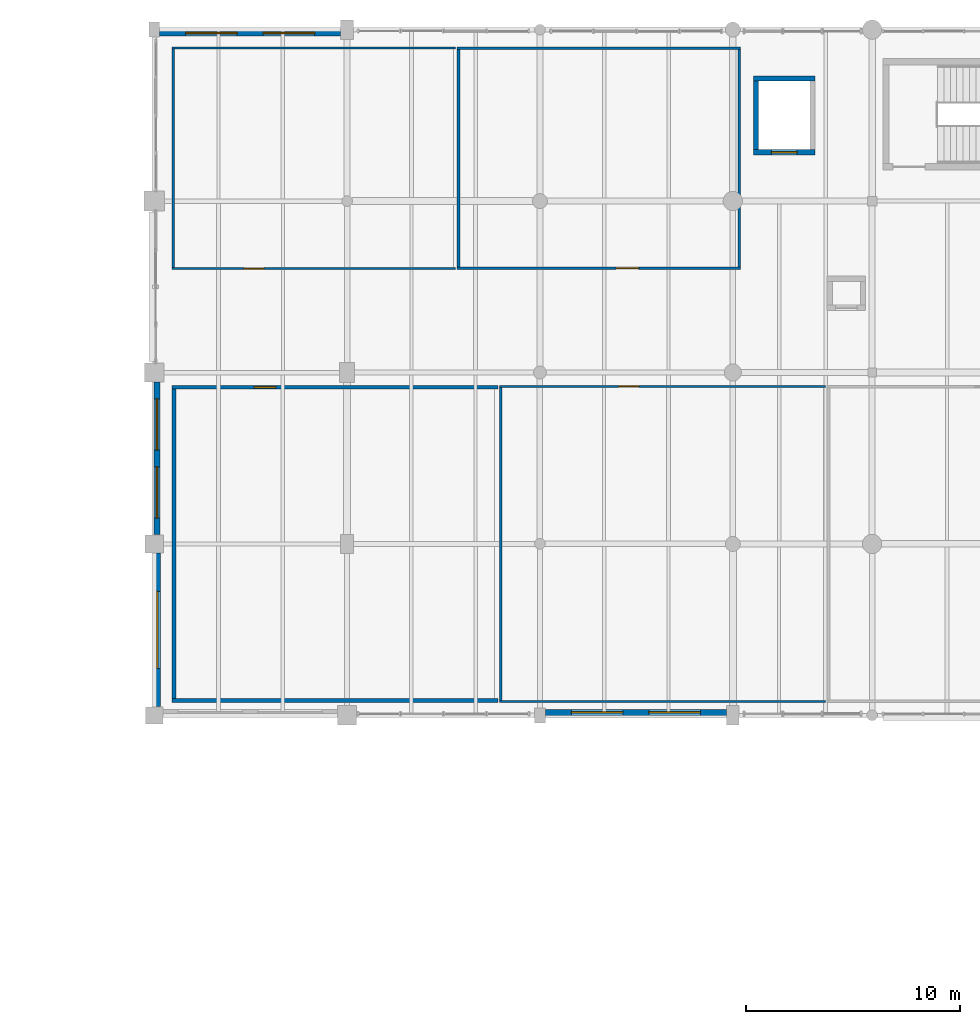
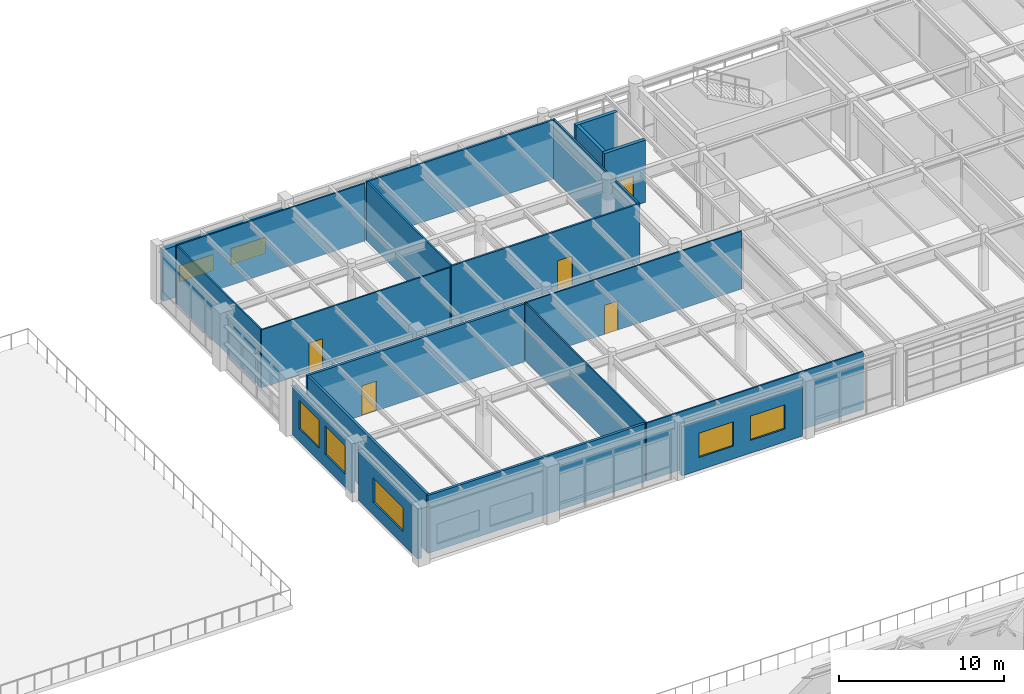
# One storey, part 154 of 168: 20 walls, 7 windows, 5 doors, 12 openings.
"""IFC4 building model written with IfcOpenShell, lengths in metres."""

import ifcopenshell
import ifcopenshell.guid

model = None  # the IFC model being written
_history = None  # IfcOwnerHistory: only IFC2X3 demands one
_inside = {}  # id of a spatial element -> (the spatial element, [elements in it])
_under = {}  # id of a project, library or spatial element -> (it, [spatial elements below it])
_declared = {}  # id of a project -> (the project, [libraries it declares])
_typed = {}  # id of a type object -> (the type object, [elements of that type])
_made_of = {}  # id of a material, layer set ... -> (it, [elements and type objects made of it])


def new_model(schema):
    """Start an empty IFC model of exactly this schema.

    Asked for "IFC4X3", IfcOpenShell would pick the latest addendum, in which some entities
    have other attributes; the version numbers below select the first issue.
    IFC2X3 requires an IfcOwnerHistory on every rooted entity: one is made here for all.
    """
    global model, _history
    if schema == "IFC4X3":
        model = ifcopenshell.file(schema_version=(4, 3, 0, 0))
    else:
        model = ifcopenshell.file(schema=schema)
    _inside.clear()
    _under.clear()
    _declared.clear()
    _typed.clear()
    _made_of.clear()
    _history = None
    if model.schema == "IFC2X3":
        org = make("IfcOrganization", Name="unknown")
        user = make(
            "IfcPersonAndOrganization",
            ThePerson=make("IfcPerson", FamilyName="unknown"),
            TheOrganization=org,
        )
        app = make(
            "IfcApplication",
            ApplicationDeveloper=org,
            Version="unknown",
            ApplicationFullName="unknown",
            ApplicationIdentifier="unknown",
        )
        _history = make(
            "IfcOwnerHistory",
            OwningUser=user,
            OwningApplication=app,
            ChangeAction="ADDED",
            CreationDate=0,
        )
    return model


def make(cls, **values):
    """One entity of the class cls with the attributes given. An attribute that is None is left unset."""
    return model.create_entity(
        cls, **{name: value for name, value in values.items() if value is not None}
    )


def rooted(cls, **values):
    """An entity with a GlobalId (a new one), such as an element, a storey or a relation."""
    return make(cls, GlobalId=ifcopenshell.guid.new(), OwnerHistory=_history, **values)


def si_unit(unit_type, name, prefix=None):
    """IfcSIUnit, for example si_unit("LENGTHUNIT", "METRE", prefix="MILLI")."""
    return make("IfcSIUnit", UnitType=unit_type, Prefix=prefix, Name=name)


def assignment(units):
    """IfcUnitAssignment: the units of a project."""
    return None if units is None else make("IfcUnitAssignment", Units=units)


def point(xyz):
    """IfcCartesianPoint."""
    return None if xyz is None else make("IfcCartesianPoint", Coordinates=xyz)


def direction(xyz):
    """IfcDirection."""
    return None if xyz is None else make("IfcDirection", DirectionRatios=xyz)


def frame(location, z_axis=None, x_axis=None):
    """IfcAxis2Placement3D, a coordinate frame: its origin and axes. An axis left out is left unset."""
    return make(
        "IfcAxis2Placement3D",
        Location=point(location),
        Axis=direction(z_axis),
        RefDirection=direction(x_axis),
    )


def frame_2d(location, x_axis=None):
    """IfcAxis2Placement2D, a coordinate frame in the plane: its origin and x axis."""
    return make(
        "IfcAxis2Placement2D", Location=point(location), RefDirection=direction(x_axis)
    )


def origin():
    """The frame at (0, 0, 0) with its axes left unset."""
    return frame((0.0, 0.0, 0.0))


def place(relative_to, where):
    """IfcLocalPlacement: puts the frame where relative to a parent placement (None: the world)."""
    return make(
        "IfcLocalPlacement", PlacementRelTo=relative_to, RelativePlacement=where
    )


def context(
    kind, dimensions, precision=None, world=None, true_north=None, identifier=None
):
    """IfcGeometricRepresentationContext, for example the 3D "Model" context."""
    return make(
        "IfcGeometricRepresentationContext",
        ContextIdentifier=identifier,
        ContextType=kind,
        CoordinateSpaceDimension=dimensions,
        Precision=precision,
        WorldCoordinateSystem=world,
        TrueNorth=true_north,
    )


def subcontext(parent, identifier, kind, view, scale=None):
    """IfcGeometricRepresentationSubContext, for example "Body" below "Model"."""
    return make(
        "IfcGeometricRepresentationSubContext",
        ContextIdentifier=identifier,
        ContextType=kind,
        ParentContext=parent,
        TargetScale=scale,
        TargetView=view,
    )


def project(units=None, contexts=None):
    """IfcProject with its units and contexts."""
    return rooted(
        "IfcProject",
        Name="project",
        RepresentationContexts=contexts,
        UnitsInContext=assignment(units),
    )


def spatial(cls, under=None, at=None, **own):
    """A site, building, storey or space (cls), placed at a placement, below another one or the project."""
    s = rooted(cls, ObjectPlacement=at, **own)
    if under is not None:
        _under.setdefault(under.id(), (under, []))[1].append(s)
    return s


def profile(cls, at=None, kind="AREA", **sizes):
    """A parametric profile (cls). Its sizes go by their IFC names, for example OverallWidth=200.0."""
    return make(cls, ProfileType=kind, Position=at, **sizes)


def rectangle(**sizes):
    """IfcRectangleProfileDef."""
    return profile("IfcRectangleProfileDef", **sizes)


def extrude(swept, where, along, depth):
    """IfcExtrudedAreaSolid: the profile swept, set in the frame where, extruded along a direction by depth."""
    return make(
        "IfcExtrudedAreaSolid",
        SweptArea=swept,
        Position=where,
        ExtrudedDirection=direction(along),
        Depth=depth,
    )


def shape(context_of_items, identifier, shape_type, items):
    """IfcShapeRepresentation: the items that make up one representation, for example the "Body"."""
    return make(
        "IfcShapeRepresentation",
        ContextOfItems=context_of_items,
        RepresentationIdentifier=identifier,
        RepresentationType=shape_type,
        Items=items,
    )


def material(Name=None, Category=None):
    """IfcMaterial."""
    return make("IfcMaterial", Name=Name, Category=Category)


def layer(
    of_material, thickness, ventilated=None, Name=None, Category=None, Priority=None
):
    """IfcMaterialLayer: one layer of a wall or slab, of a material (None: an air gap)."""
    return make(
        "IfcMaterialLayer",
        Material=of_material,
        LayerThickness=thickness,
        IsVentilated=ventilated,
        Name=Name,
        Category=Category,
        Priority=Priority,
    )


def layer_set(layers, Name=None):
    """IfcMaterialLayerSet."""
    return make("IfcMaterialLayerSet", MaterialLayers=layers, LayerSetName=Name)


def made_of(thing, what):
    """Note that an element or type object is made of a material, layer set ...; save() writes the relation."""
    if what is not None:
        _made_of.setdefault(what.id(), (what, []))[1].append(thing)
    return thing


def type_object(cls, material=None, **own):
    """A type object (cls), such as IfcWallType, which elements share."""
    return made_of(rooted(cls, **own), material)


def element(
    cls,
    number,
    at=None,
    inside=None,
    cuts=None,
    type_object=None,
    material=None,
    context=None,
    identifier="Body",
    shape_type=None,
    held_by="IfcProductDefinitionShape",
    body=None,
    shapes=None,
    **own,
):
    """One element of the class cls, such as IfcWall. Its Tag is "e" and its number.

    at: its placement. inside: the storey or other place that contains it. cuts: it is an
    opening in that element (IfcRelVoidsElement). A single representation is given by context,
    identifier, shape_type and body (its items); several are given by shapes. held_by: the class
    of the entity that holds the representations. save() writes the other relations.
    """
    e = rooted(cls, Tag="e%d" % number, ObjectPlacement=at, **own)
    if body is not None:
        shapes = [shape(context, identifier, shape_type, body)]
    if shapes is not None:
        e.Representation = make(held_by, Representations=shapes)
    if inside is not None:
        _inside.setdefault(inside.id(), (inside, []))[1].append(e)
    if cuts is not None:
        rooted(
            "IfcRelVoidsElement", RelatingBuildingElement=cuts, RelatedOpeningElement=e
        )
    if type_object is not None:
        _typed.setdefault(type_object.id(), (type_object, []))[1].append(e)
    return made_of(e, material)


def fill(opening, filler):
    """IfcRelFillsElement: the door or window that sits in an opening."""
    return rooted(
        "IfcRelFillsElement",
        RelatingOpeningElement=opening,
        RelatedBuildingElement=filler,
    )


def aggregate(whole, parts):
    """IfcRelAggregates: a whole, such as a stair, and the parts it consists of."""
    return rooted("IfcRelAggregates", RelatingObject=whole, RelatedObjects=parts)


def save(model, path):
    """Write the relations noted so far, then the file.

    IfcRelAggregates (storeys below a building ...), IfcRelContainedInSpatialStructure (elements
    in a storey), IfcRelDefinesByType, IfcRelAssociatesMaterial and IfcRelDeclares: one each for
    every whole, place, type object, material and project.
    """
    for whole, parts in _under.values():
        aggregate(whole, parts)
    for where, things in _inside.values():
        rooted(
            "IfcRelContainedInSpatialStructure",
            RelatedElements=things,
            RelatingStructure=where,
        )
    for kind, things in _typed.values():
        rooted("IfcRelDefinesByType", RelatedObjects=things, RelatingType=kind)
    for what, things in _made_of.values():
        rooted("IfcRelAssociatesMaterial", RelatedObjects=things, RelatingMaterial=what)
    for by, libraries in _declared.values():
        rooted("IfcRelDeclares", RelatingContext=by, RelatedDefinitions=libraries)
    model.write(path)


model = new_model("IFC4")

# Units and contexts
model_context = context("Model", 3, precision=1e-05, world=origin(), true_north=direction((0.0, 1.0)))
body_context = subcontext(model_context, "Body", "Model", "MODEL_VIEW")
ifc_project = project(units=[si_unit("LENGTHUNIT", "METRE"), si_unit("AREAUNIT", "SQUARE_METRE"), si_unit("VOLUMEUNIT", "CUBIC_METRE"), si_unit("PLANEANGLEUNIT", "RADIAN"), si_unit("MASSUNIT", "GRAM", prefix="KILO"), si_unit("THERMODYNAMICTEMPERATUREUNIT", "KELVIN"), si_unit("POWERUNIT", "WATT")], contexts=[model_context])

# Site, building, storey
site_placement = place(None, origin())
site = spatial("IfcSite", under=ifc_project, at=site_placement, CompositionType="ELEMENT")
building_placement = place(site_placement, origin())
building = spatial("IfcBuilding", under=site, at=building_placement, Name="Tepalcoro Natatorium and Aquatics Centre", CompositionType="ELEMENT")
storey_placement = place(building_placement, frame((0.0, 0.0, 10.199951171875)))
storey = spatial("IfcBuildingStorey", under=building, at=storey_placement, Name="L02", CompositionType="ELEMENT", Elevation=10.199951171875)

# Wall, openings, windows
ifc_material_1 = material(Name="Precast Concrete C45/55 (fc 45 MPa)", Category="concrete")
ifc_layer_1 = layer(ifc_material_1, 0.260009765625)
ifc_layer_set_1 = layer_set([ifc_layer_1], Name="Precast Concrete C45/55 (fc 45 MPa)")
wall_type_1 = type_object("IfcWallType", Name="WL_EXT_GABLE_260", PredefinedType="SOLIDWALL", material=ifc_layer_set_1)
wall_1_placement = place(storey_placement, frame((98.1298828125, 94.428955078125, 0.0), z_axis=(0.0, 0.0, 1.0), x_axis=(0.0, 1.0, 0.0)))
wall_1 = element("IfcWall", 1, at=wall_1_placement, inside=storey, type_object=wall_type_1, Name="V5 L02 W Volcanic Basalt Envelope Wall", PredefinedType="SOLIDWALL", context=body_context, shape_type="SweptSolid", body=[
    extrude(rectangle(XDim=7.116943359375, YDim=0.260009765625, at=frame_2d((3.55859375, 0.0))), origin(), (0.0, 0.0, 1.0), 3.657958984375),
])
opening_1_placement = place(wall_1_placement, frame((0.772216796875, 0.0, 0.949951171875)))
opening_1 = element("IfcOpeningElement", 2, at=opening_1_placement, cuts=wall_1, Name="Opening W0105A", PredefinedType="OPENING", context=body_context, shape_type="SweptSolid", body=[
    extrude(rectangle(XDim=2.39990234375, YDim=2.10009765625, at=frame_2d((1.199951171875, 1.050048828125))), frame((0.0, 0.14208984375, 0.0), z_axis=(0.0, -1.0, 0.0), x_axis=(1.0, 0.0, 0.0)), (0.0, 0.0, 1.0), 0.283935546875),
])
opening_2_placement = place(wall_1_placement, frame((3.944580078125, 0.0, 0.949951171875)))
opening_2 = element("IfcOpeningElement", 3, at=opening_2_placement, cuts=wall_1, Name="Opening W0105B", PredefinedType="OPENING", context=body_context, shape_type="SweptSolid", body=[
    extrude(rectangle(XDim=2.39990234375, YDim=2.10009765625, at=frame_2d((1.199951171875, 1.050048828125))), frame((0.0, 0.14208984375, 0.0), z_axis=(0.0, -1.0, 0.0), x_axis=(1.0, 0.0, 0.0)), (0.0, 0.0, 1.0), 0.283935546875),
])
ifc_material_2 = material(Name="Solar-Control Bronze Tempered Low-E Double Glazing", Category="glass")
window_type_1 = type_object("IfcWindowType", Name="WN_240x210", PartitioningType="SINGLE_PANEL", PredefinedType="WINDOW", material=ifc_material_2)
window_1_placement = place(opening_1_placement, origin())
window_1 = element("IfcWindow", 4, at=window_1_placement, inside=storey, type_object=window_type_1, Name="Exterior Thermal Window WN_240x210", OverallHeight=2.10009765625, OverallWidth=2.39990234375, PartitioningType="SINGLE_PANEL", PredefinedType="WINDOW", context=body_context, shape_type="SweptSolid", body=[
    extrude(rectangle(XDim=2.39990234375, YDim=2.10009765625, at=frame_2d((1.199951171875, 1.050048828125))), frame((0.0, 0.030029296875, 0.0), z_axis=(0.0, -1.0, 0.0), x_axis=(1.0, 0.0, 0.0)), (0.0, 0.0, 1.0), 0.06005859375),
])
fill(opening_1, window_1)
window_2_placement = place(opening_2_placement, origin())
window_2 = element("IfcWindow", 5, at=window_2_placement, inside=storey, type_object=window_type_1, Name="Exterior Thermal Window WN_240x210", OverallHeight=2.10009765625, OverallWidth=2.39990234375, PartitioningType="SINGLE_PANEL", PredefinedType="WINDOW", context=body_context, shape_type="SweptSolid", body=[
    extrude(rectangle(XDim=2.39990234375, YDim=2.10009765625, at=frame_2d((1.199951171875, 1.050048828125))), frame((0.0, 0.030029296875, 0.0), z_axis=(0.0, -1.0, 0.0), x_axis=(1.0, 0.0, 0.0)), (0.0, 0.0, 1.0), 0.06005859375),
])
fill(opening_2, window_2)

ifc_layer_2 = layer(ifc_material_1, 0.284912109375)
ifc_layer_set_2 = layer_set([ifc_layer_2], Name="Precast Concrete C45/55 (fc 45 MPa)")
wall_type_2 = type_object("IfcWallType", Name="WL_EXT_INSUL_280", PredefinedType="SOLIDWALL", material=ifc_layer_set_2)
wall_2_placement = place(storey_placement, frame((116.25390625, 86.142578125, 0.0), z_axis=(0.0, 0.0, 1.0), x_axis=(1.0, 0.0, 0.0)))
wall_2 = element("IfcWall", 6, at=wall_2_placement, inside=storey, type_object=wall_type_2, Name="V5 L02 S Volcanic Basalt Envelope Wall", PredefinedType="SOLIDWALL", context=body_context, shape_type="SweptSolid", body=[
    extrude(rectangle(XDim=8.442138671875, YDim=0.284912109375, at=frame_2d((4.22119140625, 0.0))), origin(), (0.0, 0.0, 1.0), 3.657958984375),
])
opening_3_placement = place(wall_2_placement, frame((1.214111328125, 0.0, 0.949951171875)))
opening_3 = element("IfcOpeningElement", 7, at=opening_3_placement, cuts=wall_2, Name="Opening W0097A", PredefinedType="OPENING", context=body_context, shape_type="SweptSolid", body=[
    extrude(rectangle(XDim=2.39990234375, YDim=1.800048828125, at=frame_2d((1.199951171875, 0.89990234375))), frame((0.0, 0.154296875, 0.0), z_axis=(0.0, -1.0, 0.0), x_axis=(1.0, 0.0, 0.0)), (0.0, 0.0, 1.0), 0.308837890625),
])
opening_4_placement = place(wall_2_placement, frame((4.827880859375, 0.0, 0.949951171875)))
opening_4 = element("IfcOpeningElement", 8, at=opening_4_placement, cuts=wall_2, Name="Opening W0097B", PredefinedType="OPENING", context=body_context, shape_type="SweptSolid", body=[
    extrude(rectangle(XDim=2.39990234375, YDim=1.800048828125, at=frame_2d((1.199951171875, 0.89990234375))), frame((0.0, 0.154296875, 0.0), z_axis=(0.0, -1.0, 0.0), x_axis=(1.0, 0.0, 0.0)), (0.0, 0.0, 1.0), 0.308837890625),
])
window_type_2 = type_object("IfcWindowType", Name="WN_240x180", PartitioningType="SINGLE_PANEL", PredefinedType="WINDOW", material=ifc_material_2)
window_3_placement = place(opening_3_placement, origin())
window_3 = element("IfcWindow", 9, at=window_3_placement, inside=storey, type_object=window_type_2, Name="Exterior Thermal Window WN_240x180", OverallHeight=1.800048828125, OverallWidth=2.39990234375, PartitioningType="SINGLE_PANEL", PredefinedType="WINDOW", context=body_context, shape_type="SweptSolid", body=[
    extrude(rectangle(XDim=2.39990234375, YDim=1.800048828125, at=frame_2d((1.199951171875, 0.89990234375))), frame((0.0, 0.030029296875, 0.0), z_axis=(0.0, -1.0, 0.0), x_axis=(1.0, 0.0, 0.0)), (0.0, 0.0, 1.0), 0.06005859375),
])
fill(opening_3, window_3)
window_4_placement = place(opening_4_placement, origin())
window_4 = element("IfcWindow", 10, at=window_4_placement, inside=storey, type_object=window_type_2, Name="Exterior Thermal Window WN_240x180", OverallHeight=1.800048828125, OverallWidth=2.39990234375, PartitioningType="SINGLE_PANEL", PredefinedType="WINDOW", context=body_context, shape_type="SweptSolid", body=[
    extrude(rectangle(XDim=2.39990234375, YDim=1.800048828125, at=frame_2d((1.199951171875, 0.89990234375))), frame((0.0, 0.030029296875, 0.0), z_axis=(0.0, -1.0, 0.0), x_axis=(1.0, 0.0, 0.0)), (0.0, 0.0, 1.0), 0.06005859375),
])
fill(opening_4, window_4)

# Wall, opening, window
wall_3_placement = place(storey_placement, frame((98.142578125, 86.404052734375, 0.0), z_axis=(0.0, 0.0, 1.0), x_axis=(0.0, 1.0, 0.0)))
wall_3 = element("IfcWall", 11, at=wall_3_placement, inside=storey, type_object=wall_type_2, Name="V5 L02 W Volcanic Basalt Envelope Wall", PredefinedType="SOLIDWALL", context=body_context, shape_type="SweptSolid", body=[
    extrude(rectangle(XDim=7.1669921875, YDim=0.284912109375, at=frame_2d((3.58349609375, 0.0))), origin(), (0.0, 0.0, 1.0), 3.734130859375),
])
opening_5_placement = place(wall_3_placement, frame((1.783447265625, 0.0, 0.949951171875)))
opening_5 = element("IfcOpeningElement", 12, at=opening_5_placement, cuts=wall_3, Name="Opening W0104", PredefinedType="OPENING", context=body_context, shape_type="SweptSolid", body=[
    extrude(rectangle(XDim=3.60009765625, YDim=1.800048828125, at=frame_2d((1.800048828125, 0.89990234375))), frame((0.0, 0.154296875, 0.0), z_axis=(0.0, -1.0, 0.0), x_axis=(1.0, 0.0, 0.0)), (0.0, 0.0, 1.0), 0.308837890625),
])
window_type_3 = type_object("IfcWindowType", Name="WN_360x180", PartitioningType="SINGLE_PANEL", PredefinedType="WINDOW", material=ifc_material_2)
window_5_placement = place(opening_5_placement, origin())
window_5 = element("IfcWindow", 13, at=window_5_placement, inside=storey, type_object=window_type_3, Name="Exterior Thermal Window WN_360x180", OverallHeight=1.800048828125, OverallWidth=3.60009765625, PartitioningType="SINGLE_PANEL", PredefinedType="WINDOW", context=body_context, shape_type="SweptSolid", body=[
    extrude(rectangle(XDim=3.60009765625, YDim=1.800048828125, at=frame_2d((1.800048828125, 0.89990234375))), frame((0.0, 0.030029296875, 0.0), z_axis=(0.0, -1.0, 0.0), x_axis=(1.0, 0.0, 0.0)), (0.0, 0.0, 1.0), 0.06005859375),
])
fill(opening_5, window_5)

# Wall, openings, windows
ifc_material_3 = material(Name="Jalisco Cantera Rosa Volcanic Tuff Ashlar Masonry", Category="masonry")
ifc_layer_3 = layer(ifc_material_3, 0.304931640625)
ifc_layer_set_3 = layer_set([ifc_layer_3], Name="Jalisco Cantera Rosa Volcanic Tuff Ashlar Masonry")
wall_type_3 = type_object("IfcWallType", Name="WL_EXT_TERRACOTTA_300", PredefinedType="SOLIDWALL", material=ifc_layer_set_3)
wall_4_placement = place(storey_placement, frame((98.25390625, 117.847412109375, 0.0), z_axis=(0.0, 0.0, 1.0), x_axis=(1.0, 0.0, 0.0)))
wall_4 = element("IfcWall", 14, at=wall_4_placement, inside=storey, type_object=wall_type_3, Name="V5 L02 N Volcanic Basalt Envelope Wall", PredefinedType="SOLIDWALL", context=body_context, shape_type="SweptSolid", body=[
    extrude(rectangle(XDim=8.442138671875, YDim=0.304931640625, at=frame_2d((4.22119140625, 0.0))), origin(), (0.0, 0.0, 1.0), 3.81005859375),
])
opening_6_placement = place(wall_4_placement, frame((1.214111328125, 0.0, 0.949951171875)))
opening_6 = element("IfcOpeningElement", 15, at=opening_6_placement, cuts=wall_4, Name="Opening W0100A", PredefinedType="OPENING", context=body_context, shape_type="SweptSolid", body=[
    extrude(rectangle(XDim=2.39990234375, YDim=1.199951171875, at=frame_2d((1.199951171875, 0.60009765625))), frame((0.0, 0.16455078125, 0.0), z_axis=(0.0, -1.0, 0.0), x_axis=(1.0, 0.0, 0.0)), (0.0, 0.0, 1.0), 0.328857421875),
])
opening_7_placement = place(wall_4_placement, frame((4.827880859375, 0.0, 0.949951171875)))
opening_7 = element("IfcOpeningElement", 16, at=opening_7_placement, cuts=wall_4, Name="Opening W0100B", PredefinedType="OPENING", context=body_context, shape_type="SweptSolid", body=[
    extrude(rectangle(XDim=2.39990234375, YDim=1.199951171875, at=frame_2d((1.199951171875, 0.60009765625))), frame((0.0, 0.16455078125, 0.0), z_axis=(0.0, -1.0, 0.0), x_axis=(1.0, 0.0, 0.0)), (0.0, 0.0, 1.0), 0.328857421875),
])
window_type_4 = type_object("IfcWindowType", Name="WN_240x120", PartitioningType="SINGLE_PANEL", PredefinedType="WINDOW", material=ifc_material_2)
window_6_placement = place(opening_6_placement, origin())
window_6 = element("IfcWindow", 17, at=window_6_placement, inside=storey, type_object=window_type_4, Name="Exterior Thermal Window WN_240x120", OverallHeight=1.199951171875, OverallWidth=2.39990234375, PartitioningType="SINGLE_PANEL", PredefinedType="WINDOW", context=body_context, shape_type="SweptSolid", body=[
    extrude(rectangle(XDim=2.39990234375, YDim=1.199951171875, at=frame_2d((1.199951171875, 0.60009765625))), frame((0.0, 0.030029296875, 0.0), z_axis=(0.0, -1.0, 0.0), x_axis=(1.0, 0.0, 0.0)), (0.0, 0.0, 1.0), 0.06005859375),
])
fill(opening_6, window_6)
window_7_placement = place(opening_7_placement, origin())
window_7 = element("IfcWindow", 18, at=window_7_placement, inside=storey, type_object=window_type_4, Name="Exterior Thermal Window WN_240x120", OverallHeight=1.199951171875, OverallWidth=2.39990234375, PartitioningType="SINGLE_PANEL", PredefinedType="WINDOW", context=body_context, shape_type="SweptSolid", body=[
    extrude(rectangle(XDim=2.39990234375, YDim=1.199951171875, at=frame_2d((1.199951171875, 0.60009765625))), frame((0.0, 0.030029296875, 0.0), z_axis=(0.0, -1.0, 0.0), x_axis=(1.0, 0.0, 0.0)), (0.0, 0.0, 1.0), 0.06005859375),
])
fill(opening_7, window_7)

# Wall
ifc_material_4 = material(Name="Moisture-Resistant Acoustic Gypsum Drywall on Cold-Formed Metal Studs")
ifc_layer_4 = layer(ifc_material_4, 0.10009765625)
ifc_layer_set_4 = layer_set([ifc_layer_4], Name="Moisture-Resistant Acoustic Gypsum Drywall on Cold-Formed Metal Studs")
wall_type_4 = type_object("IfcWallType", Name="WL_PART_100", PredefinedType="PARTITIONING", material=ifc_layer_set_4)
wall_5_placement = place(storey_placement, frame((114.1201171875, 86.64990234375, 0.0), z_axis=(0.0, 0.0, 1.0), x_axis=(1.0, 0.0, 0.0)))
element("IfcWall", 19, at=wall_5_placement, inside=storey, type_object=wall_type_4, Name="Audio Mixing, Graphics & Post-Production Suites Partition S", PredefinedType="PARTITIONING", context=body_context, shape_type="SweptSolid", body=[
    extrude(rectangle(XDim=15.199951171875, YDim=0.10009765625, at=frame_2d((7.60009765625, 0.0))), origin(), (0.0, 0.0, 1.0), 4.28515625),
])

# Wall, opening, door
wall_6_placement = place(storey_placement, frame((114.1201171875, 101.35009765625, 0.0), z_axis=(0.0, 0.0, 1.0), x_axis=(1.0, 0.0, 0.0)))
wall_6 = element("IfcWall", 20, at=wall_6_placement, inside=storey, type_object=wall_type_4, Name="Audio Mixing, Graphics & Post-Production Suites Partition N", PredefinedType="PARTITIONING", context=body_context, shape_type="SweptSolid", body=[
    extrude(rectangle(XDim=15.199951171875, YDim=0.10009765625, at=frame_2d((7.60009765625, 0.0))), origin(), (0.0, 0.0, 1.0), 4.28515625),
])
opening_8_placement = place(wall_6_placement, frame((5.547119140625, 0.0, 0.0)))
opening_8 = element("IfcOpeningElement", 21, at=opening_8_placement, cuts=wall_6, Name="Opening D0169", PredefinedType="OPENING", context=body_context, shape_type="SweptSolid", body=[
    extrude(rectangle(XDim=0.949951171875, YDim=2.14990234375, at=frame_2d((0.47509765625, 1.074951171875))), frame((0.0, 0.06201171875, 0.0), z_axis=(0.0, -1.0, 0.0), x_axis=(1.0, 0.0, 0.0)), (0.0, 0.0, 1.0), 0.1240234375),
])
ifc_material_5 = material(Name="Solid-Core Moisture-Sealed Oak Timber Leaf in Aluminium Frame", Category="wood")
door_type_1 = type_object("IfcDoorType", Name="DR_095x215_OFFICE", OperationType="NOTDEFINED", PredefinedType="DOOR", material=ifc_material_5)
door_1_placement = place(opening_8_placement, frame((0.949951171875, 0.0, 0.0), z_axis=(0.0, 0.0, 1.0), x_axis=(-1.0, 0.0, 0.0)))
door_1 = element("IfcDoor", 22, at=door_1_placement, inside=storey, type_object=door_type_1, Name="Audio Mixing, Graphics & Post-Production Suites Door", OperationType="SINGLE_SWING_LEFT", OverallHeight=2.14990234375, OverallWidth=0.949951171875, PredefinedType="DOOR", context=body_context, shape_type="SweptSolid", body=[
    extrude(rectangle(XDim=0.949951171875, YDim=2.14990234375, at=frame_2d((0.47509765625, 1.074951171875))), frame((0.0, 0.02490234375, 0.0), z_axis=(0.0, -1.0, 0.0), x_axis=(1.0, 0.0, 0.0)), (0.0, 0.0, 1.0), 0.050048828125),
])
fill(opening_8, door_1)

# Wall
wall_7_placement = place(storey_placement, frame((114.169921875, 86.699951171875, 0.0), z_axis=(0.0, 0.0, 1.0), x_axis=(0.0, 1.0, 0.0)))
element("IfcWall", 23, at=wall_7_placement, inside=storey, type_object=wall_type_4, Name="Audio Mixing, Graphics & Post-Production Suites Partition W", PredefinedType="PARTITIONING", context=body_context, shape_type="SweptSolid", body=[
    extrude(rectangle(XDim=14.60009765625, YDim=0.10009765625, at=frame_2d((7.300048828125, 0.0))), origin(), (0.0, 0.0, 1.0), 4.28515625),
])

# Wall, opening, door
wall_8_placement = place(storey_placement, frame((98.840087890625, 106.85009765625, 0.0), z_axis=(0.0, 0.0, 1.0), x_axis=(1.0, 0.0, 0.0)))
wall_8 = element("IfcWall", 24, at=wall_8_placement, inside=storey, type_object=wall_type_4, Name="Executive Director & Venue Management Offices Partition S", PredefinedType="PARTITIONING", context=body_context, shape_type="SweptSolid", body=[
    extrude(rectangle(XDim=13.219970703125, YDim=0.10009765625, at=frame_2d((6.60986328125, 0.0))), origin(), (0.0, 0.0, 1.0), 4.28515625),
])
opening_9_placement = place(wall_8_placement, frame((3.342529296875, 0.0, 0.0)))
opening_9 = element("IfcOpeningElement", 25, at=opening_9_placement, cuts=wall_8, Name="Opening D0173", PredefinedType="OPENING", context=body_context, shape_type="SweptSolid", body=[
    extrude(rectangle(XDim=0.949951171875, YDim=2.14990234375, at=frame_2d((0.47509765625, 1.074951171875))), frame((0.0, 0.06201171875, 0.0), z_axis=(0.0, -1.0, 0.0), x_axis=(1.0, 0.0, 0.0)), (0.0, 0.0, 1.0), 0.1240234375),
])
door_2_placement = place(opening_9_placement, origin())
door_2 = element("IfcDoor", 26, at=door_2_placement, inside=storey, type_object=door_type_1, Name="Executive Director & Venue Management Offices Door", OperationType="SINGLE_SWING_RIGHT", OverallHeight=2.14990234375, OverallWidth=0.949951171875, PredefinedType="DOOR", context=body_context, shape_type="SweptSolid", body=[
    extrude(rectangle(XDim=0.949951171875, YDim=2.14990234375, at=frame_2d((0.47509765625, 1.074951171875))), frame((0.0, 0.02490234375, 0.0), z_axis=(0.0, -1.0, 0.0), x_axis=(1.0, 0.0, 0.0)), (0.0, 0.0, 1.0), 0.050048828125),
])
fill(opening_9, door_2)

# Walls
wall_9_placement = place(storey_placement, frame((98.840087890625, 117.14990234375, 0.0), z_axis=(0.0, 0.0, 1.0), x_axis=(1.0, 0.0, 0.0)))
element("IfcWall", 27, at=wall_9_placement, inside=storey, type_object=wall_type_4, Name="Executive Director & Venue Management Offices Partition N", PredefinedType="PARTITIONING", context=body_context, shape_type="SweptSolid", body=[
    extrude(rectangle(XDim=13.219970703125, YDim=0.10009765625, at=frame_2d((6.60986328125, 0.0))), origin(), (0.0, 0.0, 1.0), 4.28515625),
])
wall_10_placement = place(storey_placement, frame((98.889892578125, 106.89990234375, 0.0), z_axis=(0.0, 0.0, 1.0), x_axis=(0.0, 1.0, 0.0)))
element("IfcWall", 28, at=wall_10_placement, inside=storey, type_object=wall_type_4, Name="Executive Director & Venue Management Offices Partition W", PredefinedType="PARTITIONING", context=body_context, shape_type="SweptSolid", body=[
    extrude(rectangle(XDim=10.2001953125, YDim=0.10009765625, at=frame_2d((5.10009765625, 0.0))), origin(), (0.0, 0.0, 1.0), 4.28515625),
])

# Wall, opening, door
ifc_layer_5 = layer(ifc_material_4, 0.125)
ifc_layer_set_5 = layer_set([ifc_layer_5], Name="Moisture-Resistant Acoustic Gypsum Drywall on Cold-Formed Metal Studs")
wall_type_5 = type_object("IfcWallType", Name="WL_PART_125", PredefinedType="PARTITIONING", material=ifc_layer_set_5)
wall_11_placement = place(storey_placement, frame((112.139892578125, 106.862548828125, 0.0), z_axis=(0.0, 0.0, 1.0), x_axis=(1.0, 0.0, 0.0)))
wall_11 = element("IfcWall", 29, at=wall_11_placement, inside=storey, type_object=wall_type_5, Name="Boardroom & Aquatics Archive Library Partition S", PredefinedType="PARTITIONING", context=body_context, shape_type="SweptSolid", body=[
    extrude(rectangle(XDim=13.22021484375, YDim=0.125, at=frame_2d((6.610107421875, 0.0))), origin(), (0.0, 0.0, 1.0), 4.364990234375),
])
opening_10_placement = place(wall_11_placement, frame((7.413330078125, 0.0, 0.0)))
opening_10 = element("IfcOpeningElement", 30, at=opening_10_placement, cuts=wall_11, Name="Opening D0174", PredefinedType="OPENING", context=body_context, shape_type="SweptSolid", body=[
    extrude(rectangle(XDim=1.050048828125, YDim=2.14990234375, at=frame_2d((0.52490234375, 1.074951171875))), frame((0.0, 0.074462890625, 0.0), z_axis=(0.0, -1.0, 0.0), x_axis=(1.0, 0.0, 0.0)), (0.0, 0.0, 1.0), 0.14892578125),
])
door_type_2 = type_object("IfcDoorType", Name="DR_105x215_ACC", OperationType="NOTDEFINED", PredefinedType="DOOR", material=ifc_material_5)
door_3_placement = place(opening_10_placement, origin())
door_3 = element("IfcDoor", 31, at=door_3_placement, inside=storey, type_object=door_type_2, Name="Boardroom & Aquatics Archive Library Door", OperationType="SINGLE_SWING_LEFT", OverallHeight=2.14990234375, OverallWidth=1.050048828125, PredefinedType="DOOR", context=body_context, shape_type="SweptSolid", body=[
    extrude(rectangle(XDim=1.050048828125, YDim=2.14990234375, at=frame_2d((0.52490234375, 1.074951171875))), frame((0.0, 0.02490234375, 0.0), z_axis=(0.0, -1.0, 0.0), x_axis=(1.0, 0.0, 0.0)), (0.0, 0.0, 1.0), 0.050048828125),
])
fill(opening_10, door_3)

# Walls
wall_12_placement = place(storey_placement, frame((112.139892578125, 117.137451171875, 0.0), z_axis=(0.0, 0.0, 1.0), x_axis=(1.0, 0.0, 0.0)))
element("IfcWall", 32, at=wall_12_placement, inside=storey, type_object=wall_type_5, Name="Boardroom & Aquatics Archive Library Partition N", PredefinedType="PARTITIONING", context=body_context, shape_type="SweptSolid", body=[
    extrude(rectangle(XDim=13.22021484375, YDim=0.125, at=frame_2d((6.610107421875, 0.0))), origin(), (0.0, 0.0, 1.0), 4.364990234375),
])
for number, where, z_axis, x_axis, name in (
    (33, (125.297607421875, 106.925048828125, 0.0), (0.0, 0.0, 1.0), (0.0, 1.0, 0.0), "Boardroom & Aquatics Archive Library Partition E"),
    (34, (112.202392578125, 106.925048828125, 0.0), (0.0, 0.0, 1.0), (0.0, 1.0, 0.0), "Boardroom & Aquatics Archive Library Partition W"),
):
    element("IfcWall", number, at=place(storey_placement, frame(where, z_axis=z_axis, x_axis=x_axis)), inside=storey, type_object=wall_type_5, Name=name, PredefinedType="PARTITIONING", context=body_context, shape_type="SweptSolid", body=[
        extrude(rectangle(XDim=10.14990234375, YDim=0.125, at=frame_2d((5.074951171875, 0.0))), origin(), (0.0, 0.0, 1.0), 4.364990234375),
    ])
ifc_layer_6 = layer(ifc_material_4, 0.179931640625)
ifc_layer_set_6 = layer_set([ifc_layer_6], Name="Moisture-Resistant Acoustic Gypsum Drywall on Cold-Formed Metal Studs")
wall_type_6 = type_object("IfcWallType", Name="WL_PART_180_AC", PredefinedType="PARTITIONING", material=ifc_layer_set_6)
wall_13_placement = place(storey_placement, frame((98.840087890625, 86.68994140625, 0.0), z_axis=(0.0, 0.0, 1.0), x_axis=(1.0, 0.0, 0.0)))
element("IfcWall", 35, at=wall_13_placement, inside=storey, type_object=wall_type_6, Name="Television Master Control & Replay Production Gallery Partition S", PredefinedType="PARTITIONING", context=body_context, shape_type="SweptSolid", body=[
    extrude(rectangle(XDim=15.199951171875, YDim=0.179931640625, at=frame_2d((7.60009765625, 0.0))), origin(), (0.0, 0.0, 1.0), 4.28515625),
])

# Wall, opening, door
wall_14_placement = place(storey_placement, frame((98.840087890625, 101.31005859375, 0.0), z_axis=(0.0, 0.0, 1.0), x_axis=(1.0, 0.0, 0.0)))
wall_14 = element("IfcWall", 36, at=wall_14_placement, inside=storey, type_object=wall_type_6, Name="Television Master Control & Replay Production Gallery Partition N", PredefinedType="PARTITIONING", context=body_context, shape_type="SweptSolid", body=[
    extrude(rectangle(XDim=15.199951171875, YDim=0.179931640625, at=frame_2d((7.60009765625, 0.0))), origin(), (0.0, 0.0, 1.0), 4.28515625),
])
opening_11_placement = place(wall_14_placement, frame((3.820068359375, 0.0, 0.0)))
opening_11 = element("IfcOpeningElement", 37, at=opening_11_placement, cuts=wall_14, Name="Opening D0168", PredefinedType="OPENING", context=body_context, shape_type="SweptSolid", body=[
    extrude(rectangle(XDim=1.02001953125, YDim=2.199951171875, at=frame_2d((0.510009765625, 1.10009765625))), frame((0.0, 0.10205078125, 0.0), z_axis=(0.0, -1.0, 0.0), x_axis=(1.0, 0.0, 0.0)), (0.0, 0.0, 1.0), 0.203857421875),
])
ifc_material_6 = material(Name="Galvanised Steel Insulated Acoustic Fire Door Assembly", Category="steel")
door_type_3 = type_object("IfcDoorType", Name="DR_100x220_FD90", OperationType="NOTDEFINED", PredefinedType="DOOR", material=ifc_material_6)
door_4_placement = place(opening_11_placement, frame((1.02001953125, 0.0, 0.0), z_axis=(0.0, 0.0, 1.0), x_axis=(-1.0, 0.0, 0.0)))
door_4 = element("IfcDoor", 38, at=door_4_placement, inside=storey, type_object=door_type_3, Name="Television Master Control & Replay Production Gallery Door", OperationType="SINGLE_SWING_RIGHT", OverallHeight=2.199951171875, OverallWidth=1.02001953125, PredefinedType="DOOR", context=body_context, shape_type="SweptSolid", body=[
    extrude(rectangle(XDim=1.02001953125, YDim=2.199951171875, at=frame_2d((0.510009765625, 1.10009765625))), frame((0.0, 0.02490234375, 0.0), z_axis=(0.0, -1.0, 0.0), x_axis=(1.0, 0.0, 0.0)), (0.0, 0.0, 1.0), 0.050048828125),
])
fill(opening_11, door_4)

# Wall
wall_15_placement = place(storey_placement, frame((98.929931640625, 86.780029296875, 0.0), z_axis=(0.0, 0.0, 1.0), x_axis=(0.0, 1.0, 0.0)))
element("IfcWall", 39, at=wall_15_placement, inside=storey, type_object=wall_type_6, Name="Television Master Control & Replay Production Gallery Partition W", PredefinedType="PARTITIONING", context=body_context, shape_type="SweptSolid", body=[
    extrude(rectangle(XDim=14.43994140625, YDim=0.179931640625, at=frame_2d((7.219970703125, 0.0))), origin(), (0.0, 0.0, 1.0), 4.28515625),
])

# Wall, opening, door
ifc_material_7 = material(Name="Concrete C40/50 (fc 40 MPa)", Category="concrete")
ifc_layer_7 = layer(ifc_material_7, 0.239990234375)
ifc_layer_set_7 = layer_set([ifc_layer_7], Name="Concrete C40/50 (fc 40 MPa)")
wall_type_7 = type_object("IfcWallType", Name="WL_SHAFT_240", PredefinedType="SOLIDWALL", material=ifc_layer_set_7)
wall_16_placement = place(storey_placement, frame((125.9599609375, 112.280029296875, 0.0), z_axis=(0.0, 0.0, 1.0), x_axis=(1.0, 0.0, 0.0)))
wall_16 = element("IfcWall", 40, at=wall_16_placement, inside=storey, type_object=wall_type_7, Name="LF05 Lift Shaft Wall S L02", PredefinedType="SOLIDWALL", context=body_context, shape_type="SweptSolid", body=[
    extrude(rectangle(XDim=2.880126953125, YDim=0.239990234375, at=frame_2d((1.43994140625, 0.0))), origin(), (0.0, 0.0, 1.0), 4.60009765625),
])
opening_12_placement = place(wall_16_placement, frame((0.840087890625, 0.0, 0.0)))
opening_12 = element("IfcOpeningElement", 41, at=opening_12_placement, cuts=wall_16, Name="Opening LD-LF05-L02", PredefinedType="OPENING", context=body_context, shape_type="SweptSolid", body=[
    extrude(rectangle(XDim=1.199951171875, YDim=2.199951171875, at=frame_2d((0.60009765625, 1.10009765625))), frame((0.0, 0.1318359375, 0.0), z_axis=(0.0, -1.0, 0.0), x_axis=(1.0, 0.0, 0.0)), (0.0, 0.0, 1.0), 0.263916015625),
])
ifc_material_8 = material(Name="Marine-Grade Brushed Stainless Steel AISI 316L", Category="steel")
door_type_4 = type_object("IfcDoorType", Name="DR_120x220_LIFT", OperationType="NOTDEFINED", PredefinedType="USERDEFINED", material=ifc_material_8)
door_5_placement = place(opening_12_placement, origin())
door_5 = element("IfcDoor", 42, at=door_5_placement, inside=storey, type_object=door_type_4, Name="LF05 Lift Landing Sliding Door (L02)", ObjectType="SLIDING LANDING DOOR", OperationType="SLIDING_TO_LEFT", OverallHeight=2.199951171875, OverallWidth=1.199951171875, PredefinedType="USERDEFINED", context=body_context, shape_type="SweptSolid", body=[
    extrude(rectangle(XDim=1.199951171875, YDim=2.199951171875, at=frame_2d((0.60009765625, 1.10009765625))), frame((0.0, 0.02490234375, 0.0), z_axis=(0.0, -1.0, 0.0), x_axis=(1.0, 0.0, 0.0)), (0.0, 0.0, 1.0), 0.050048828125),
])
fill(opening_12, door_5)

# Walls
wall_17_placement = place(storey_placement, frame((125.9599609375, 115.719970703125, 0.0), z_axis=(0.0, 0.0, 1.0), x_axis=(1.0, 0.0, 0.0)))
element("IfcWall", 43, at=wall_17_placement, inside=storey, type_object=wall_type_7, Name="LF05 Lift Shaft Wall N L02", PredefinedType="SOLIDWALL", context=body_context, shape_type="SweptSolid", body=[
    extrude(rectangle(XDim=2.880126953125, YDim=0.239990234375, at=frame_2d((1.43994140625, 0.0))), origin(), (0.0, 0.0, 1.0), 4.60009765625),
])
wall_18_placement = place(storey_placement, frame((126.080078125, 112.39990234375, 0.0), z_axis=(0.0, 0.0, 1.0), x_axis=(0.0, 1.0, 0.0)))
element("IfcWall", 44, at=wall_18_placement, inside=storey, type_object=wall_type_7, Name="LF05 Lift Shaft Wall W L02", PredefinedType="SOLIDWALL", context=body_context, shape_type="SweptSolid", body=[
    extrude(rectangle(XDim=3.2001953125, YDim=0.239990234375, at=frame_2d((1.60009765625, 0.0))), origin(), (0.0, 0.0, 1.0), 4.60009765625),
])

save(model, "model.ifc")
